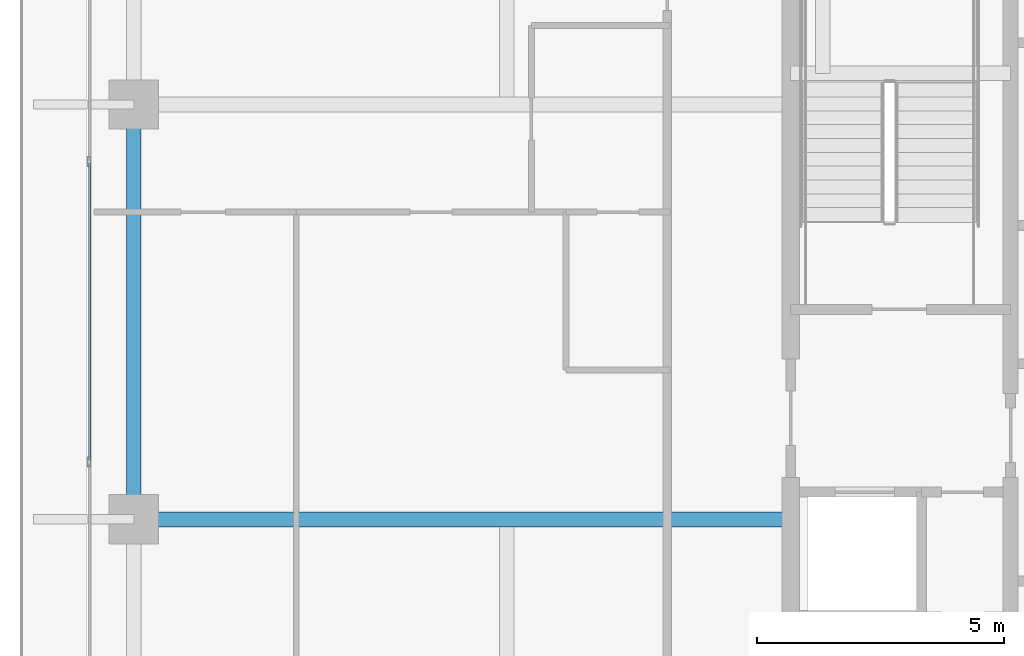
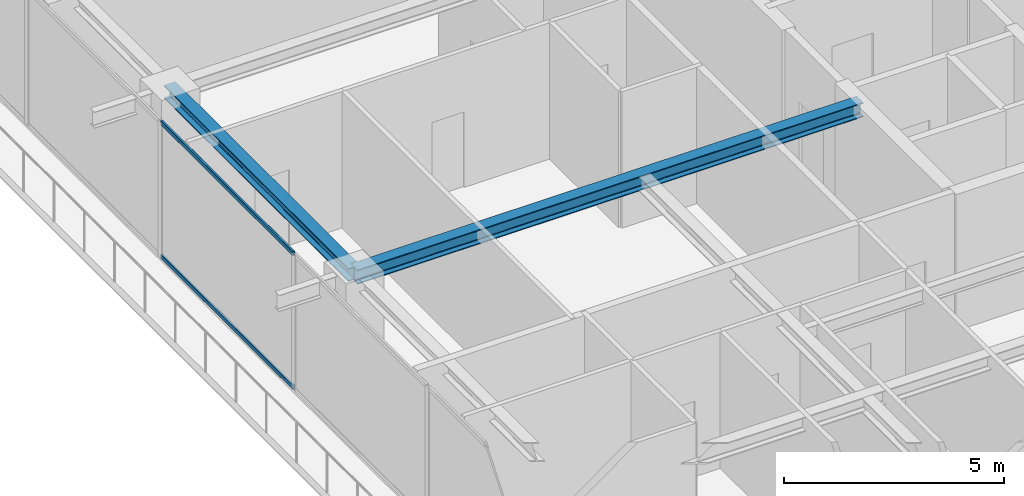
# One storey, part 9 of 42: 2 beams, 2 members, 1 element without a shape of its own.
"""IFC4 building model written with IfcOpenShell, lengths in metres."""

from ifc_helpers import new_model, si_unit, direction, frame, origin, origin_2d, place, context, subcontext, project, spatial, hollow_rectangle, i_section, extrude, source, transform, mapped, material, layer, layer_set, material_profile, profile_set, type_object, element, aggregate, save


model = new_model("IFC4")

# Units and contexts
model_context = context("Model", 3, precision=1e-05, world=origin(), true_north=direction((0.0, 1.0)))
body_context = subcontext(model_context, "Body", "Model", "MODEL_VIEW")
ifc_project = project(units=[si_unit("LENGTHUNIT", "METRE"), si_unit("AREAUNIT", "SQUARE_METRE"), si_unit("VOLUMEUNIT", "CUBIC_METRE"), si_unit("PLANEANGLEUNIT", "RADIAN"), si_unit("MASSUNIT", "GRAM", prefix="KILO")], contexts=[model_context])

# Site, building, storey
site_placement = place(None, origin())
site = spatial("IfcSite", under=ifc_project, at=site_placement, CompositionType="ELEMENT")
building_placement = place(site_placement, origin())
building = spatial("IfcBuilding", under=site, at=building_placement, Name="Serunith Strait Residences", CompositionType="ELEMENT")
storey_placement = place(building_placement, frame((0.0, 0.0, 293.449951171875)))
storey = spatial("IfcBuildingStorey", under=building, at=storey_placement, Name="L73", CompositionType="ELEMENT", Elevation=293.449951171875)

# Beams
ifc_material_1 = material(Name="Steel S355J2", Category="steel")
ifc_material_profile_1 = material_profile(ifc_material_1, i_section(OverallWidth=0.300048828125, OverallDepth=0.39990234375, WebThickness=0.013427734375, FlangeThickness=0.02392578125, FilletRadius=0.027099609375, at=origin_2d()), Name="HEB 400")
ifc_profile_set_1 = profile_set([ifc_material_profile_1], Name="Steel S355J2")
beam_type_1 = type_object("IfcBeamType", Name="BM-HEB400", PredefinedType="BEAM", material=ifc_profile_set_1)
shared_shape_1 = source(origin(), body_context, "Body", "SweptSolid", [
    extrude(i_section(OverallWidth=0.300048828125, OverallDepth=0.39990234375, WebThickness=0.013427734375, FlangeThickness=0.02392578125, FilletRadius=0.027099609375, at=origin_2d()), origin(), (0.0, 0.0, 1.0), 13.2998046875),
])
beam_1_placement = place(storey_placement, frame((23.39990234375, 21.0, 3.587158203125), z_axis=(-1.0, 0.0, 0.0), x_axis=(0.0, -1.0, 0.0)))
element("IfcBeam", 1, at=beam_1_placement, inside=storey, type_object=beam_type_1, Name="L73 Primary Floor Girder TC-W2", PredefinedType="BEAM", context=body_context, shape_type="MappedRepresentation", body=[
    mapped(shared_shape_1, transform((0.0, 0.0, 0.0), scale=1.0)),
])
ifc_material_profile_2 = material_profile(ifc_material_1, i_section(OverallWidth=0.300048828125, OverallDepth=0.360107421875, WebThickness=0.012451171875, FlangeThickness=0.0224609375, FilletRadius=0.027099609375, at=origin_2d()), Name="HEB 360")
ifc_profile_set_2 = profile_set([ifc_material_profile_2], Name="Steel S355J2")
beam_type_2 = type_object("IfcBeamType", Name="BM-HEB360", PredefinedType="BEAM", material=ifc_profile_set_2)
shared_shape_2 = source(origin(), body_context, "Body", "SweptSolid", [
    extrude(i_section(OverallWidth=0.300048828125, OverallDepth=0.360107421875, WebThickness=0.012451171875, FlangeThickness=0.0224609375, FilletRadius=0.027099609375, at=origin_2d()), origin(), (0.0, 0.0, 1.0), 8.39990234375),
])
beam_2_placement = place(storey_placement, frame((10.10009765625, 29.39990234375, 3.60693359375), z_axis=(0.0, -1.0, 0.0), x_axis=(1.0, 0.0, 0.0)))
element("IfcBeam", 2, at=beam_2_placement, inside=storey, type_object=beam_type_2, Name="L73 Perimeter Ring Beam 14", PredefinedType="BEAM", context=body_context, shape_type="MappedRepresentation", body=[
    mapped(shared_shape_2, transform((0.0, 0.0, 0.0), scale=1.0)),
])

# Curtain wall, members
ifc_material_2 = material(Name="Brushed Stainless-Silver Aluminium", Category="aluminium")
ifc_layer = layer(ifc_material_2, 0.199951171875, Name="Brushed Stainless-Silver Aluminium")
ifc_layer_set = layer_set([ifc_layer], Name="Brushed Stainless-Silver Aluminium")
curtain_wall_type = type_object("IfcCurtainWallType", Name="CW-SYS5", PredefinedType="NOTDEFINED", material=ifc_layer_set)
curtain_wall_placement = place(storey_placement, origin())
curtain_wall = element("IfcCurtainWall", 3, at=curtain_wall_placement, inside=storey, type_object=curtain_wall_type, Name="L73 W Unitised Fritted Curtain Wall", PredefinedType="NOTDEFINED")
ifc_material_profile_3 = material_profile(ifc_material_2, hollow_rectangle(XDim=0.06005859375, YDim=0.1201171875, WallThickness=0.00341796875, InnerFilletRadius=0.00537109375, OuterFilletRadius=0.0087890625, at=origin_2d()), Name="ALU 120x60x3.5")
ifc_profile_set_3 = profile_set([ifc_material_profile_3], Name="Brushed Stainless-Silver Aluminium")
member_type = type_object("IfcMemberType", Name="CW-SYS5-TRAN", PredefinedType="USERDEFINED", material=ifc_profile_set_3)
shared_shape_3 = source(origin(), body_context, "Body", "SweptSolid", [
    extrude(hollow_rectangle(XDim=0.06005859375, YDim=0.1201171875, WallThickness=0.00341796875, InnerFilletRadius=0.00537109375, OuterFilletRadius=0.0087890625, at=origin_2d()), origin(), (0.0, 0.0, 1.0), 6.01513671875),
])
member_1_placement = place(storey_placement, frame((9.199951171875, 28.20751953125, 0.030029296875), z_axis=(0.0, -1.0, 0.0), x_axis=(1.0, 0.0, 0.0)))
member_1 = element("IfcMember", 4, at=member_1_placement, type_object=member_type, Name="CW-5 transom 3.1", ObjectType="TRANSOM", PredefinedType="USERDEFINED", context=body_context, shape_type="MappedRepresentation", body=[
    mapped(shared_shape_3, transform((0.0, 0.0, 0.0), scale=1.0)),
])
member_2_placement = place(storey_placement, frame((9.199951171875, 28.20751953125, 3.7451171875), z_axis=(0.0, -1.0, 0.0), x_axis=(1.0, 0.0, 0.0)))
member_2 = element("IfcMember", 5, at=member_2_placement, type_object=member_type, Name="CW-5 transom 3.2", ObjectType="TRANSOM", PredefinedType="USERDEFINED", context=body_context, shape_type="MappedRepresentation", body=[
    mapped(shared_shape_3, transform((0.0, 0.0, 0.0), scale=1.0)),
])
aggregate(curtain_wall, [member_1, member_2])

save(model, "model.ifc")
